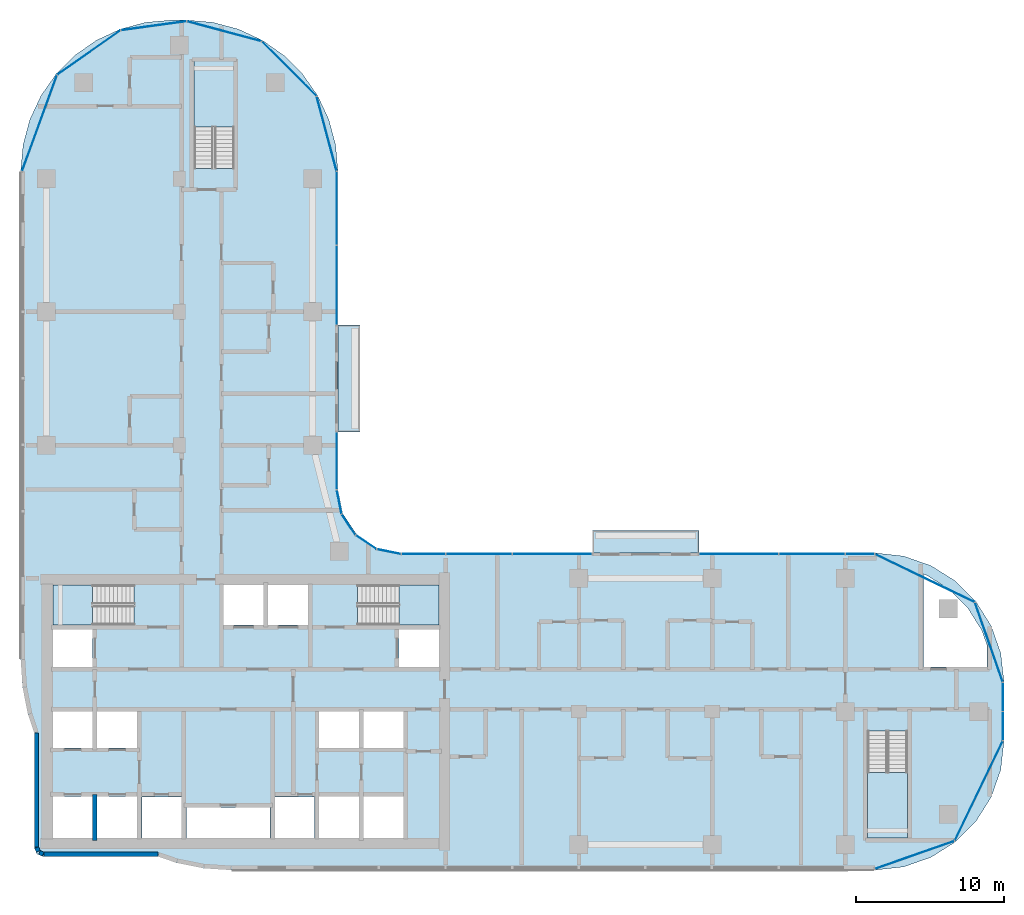
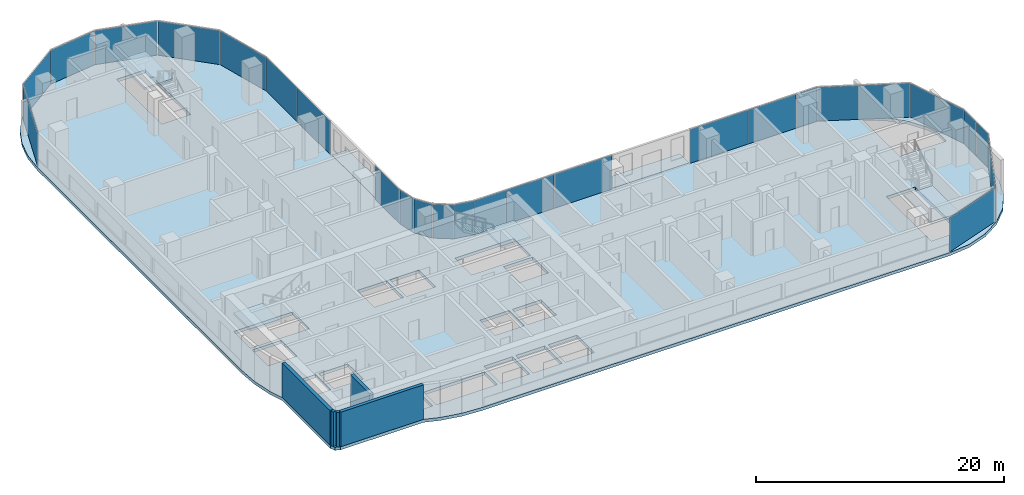
# One storey, part 8 of 23: 25 plates, 7 slabs, 5 walls, 13 elements without a shape of their own.
"""IFC4 building model written with IfcOpenShell, lengths in metres."""

from ifc_helpers import new_model, si_unit, direction, frame, frame_2d, origin, origin_2d, place, context, subcontext, project, spatial, polyline, rectangle, outline, extrude, material, layer, layer_set, type_object, element, aggregate, save


model = new_model("IFC4")

# Units and contexts
model_context = context("Model", 3, precision=1e-05, world=origin(), true_north=direction((0.0, 1.0)))
body_context = subcontext(model_context, "Body", "Model", "MODEL_VIEW")
ifc_project = project(units=[si_unit("LENGTHUNIT", "METRE"), si_unit("AREAUNIT", "SQUARE_METRE"), si_unit("VOLUMEUNIT", "CUBIC_METRE"), si_unit("PLANEANGLEUNIT", "RADIAN"), si_unit("MASSUNIT", "GRAM", prefix="KILO")], contexts=[model_context])

# Site, building, storey
site_placement = place(None, origin())
site = spatial("IfcSite", under=ifc_project, at=site_placement, CompositionType="ELEMENT")
building_placement = place(site_placement, origin())
building = spatial("IfcBuilding", under=site, at=building_placement, Name="Ogive Portal Towers", CompositionType="ELEMENT")
storey_placement = place(building_placement, frame((0.0, 0.0, 127.800048828125)))
storey = spatial("IfcBuildingStorey", under=building, at=storey_placement, Name="L31", CompositionType="ELEMENT", Elevation=127.800048828125)

# Slabs
ifc_material_1 = material(Name="Concrete C40/50", Category="concrete")
ifc_layer_1 = layer(ifc_material_1, 0.199951171875)
ifc_layer_set_1 = layer_set([ifc_layer_1], Name="BALCONY SLAB 200")
slab_type_1 = type_object("IfcSlabType", Name="BALCONY SLAB 200", PredefinedType="FLOOR", material=ifc_layer_set_1)
slab_1_placement = place(storey_placement, frame((0.0, 0.0, -0.199951171875)))
element("IfcSlab", 1, at=slab_1_placement, inside=storey, type_object=slab_type_1, Name="Balcony T2", PredefinedType="FLOOR", context=body_context, shape_type="SweptSolid", body=[
    extrude(outline(polyline([(68.39990234375, 41.215087890625), (75.60009765625, 41.215087890625), (75.60009765625, 42.715087890625), (68.39990234375, 42.715087890625), (68.39990234375, 41.215087890625)])), origin(), (0.0, 0.0, 1.0), 0.199951171875),
])
slab_2_placement = place(storey_placement, frame((0.0, 0.0, -0.199951171875)))
element("IfcSlab", 2, at=slab_2_placement, inside=storey, type_object=slab_type_1, Name="Balcony S1", PredefinedType="FLOOR", context=body_context, shape_type="SweptSolid", body=[
    extrude(outline(polyline([(51.215087890625, 49.39990234375), (52.715087890625, 49.39990234375), (52.715087890625, 56.60009765625), (51.215087890625, 56.60009765625), (51.215087890625, 49.39990234375)])), origin(), (0.0, 0.0, 1.0), 0.199951171875),
])

# Curtain wall, plates
ifc_material_2 = material(Name="Glass, clear low-iron insulated glazing", Category="glass")
curtain_wall_type = type_object("IfcCurtainWallType", Name="CW FRONT RIBBON 4500", PredefinedType="NOTDEFINED", material=ifc_material_2)
curtain_wall_1_placement = place(storey_placement, origin())
curtain_wall_1 = element("IfcCurtainWall", 3, at=curtain_wall_1_placement, inside=storey, type_object=curtain_wall_type, Name="A:L31:f10:cw0", PredefinedType="NOTDEFINED")
ifc_layer_2 = layer(ifc_material_2, 0.028076171875)
ifc_layer_set_2 = layer_set([ifc_layer_2], Name="CW PANEL IGU 28")
plate_type = type_object("IfcPlateType", Name="CW PANEL IGU 28", PredefinedType="CURTAIN_PANEL", material=ifc_layer_set_2)
plate_1_placement = place(storey_placement, frame((96.135009765625, 29.509033203125, 0.0), z_axis=(0.0, 0.0, 1.0), x_axis=(0.0, 1.0, 0.0)))
plate_1 = element("IfcPlate", 4, at=plate_1_placement, type_object=plate_type, Name="panel", PredefinedType="CURTAIN_PANEL", context=body_context, shape_type="SweptSolid", body=[
    extrude(rectangle(XDim=1.921630859375, YDim=0.028076171875, at=origin_2d()), origin(), (0.0, 0.0, 1.0), 3.340087890625),
])
plate_2_placement = place(storey_placement, frame((96.135009765625, 31.4931640625, 0.0), z_axis=(0.0, 0.0, 1.0), x_axis=(0.0, 1.0, 0.0)))
plate_2 = element("IfcPlate", 5, at=plate_2_placement, type_object=plate_type, Name="panel", PredefinedType="CURTAIN_PANEL", context=body_context, shape_type="SweptSolid", body=[
    extrude(rectangle(XDim=1.926513671875, YDim=0.028076171875, at=origin_2d()), origin(), (0.0, 0.0, 1.0), 3.340087890625),
])
aggregate(curtain_wall_1, [plate_1, plate_2])

curtain_wall_2_placement = place(storey_placement, origin())
curtain_wall_2 = element("IfcCurtainWall", 6, at=curtain_wall_2_placement, inside=storey, type_object=curtain_wall_type, Name="A:L31:f13:cw0", PredefinedType="NOTDEFINED")
plate_3_placement = place(storey_placement, frame((86.490966796875, 41.135009765625, 0.0), z_axis=(0.0, 0.0, 1.0), x_axis=(-1.0, 0.0, 0.0)))
plate_3 = element("IfcPlate", 7, at=plate_3_placement, type_object=plate_type, Name="panel", PredefinedType="CURTAIN_PANEL", context=body_context, shape_type="SweptSolid", body=[
    extrude(rectangle(XDim=1.921630859375, YDim=0.028076171875, at=origin_2d()), origin(), (0.0, 0.0, 1.0), 3.340087890625),
])
plate_4_placement = place(storey_placement, frame((83.25, 41.135009765625, 0.0), z_axis=(0.0, 0.0, 1.0), x_axis=(-1.0, 0.0, 0.0)))
plate_4 = element("IfcPlate", 8, at=plate_4_placement, type_object=plate_type, Name="panel", PredefinedType="CURTAIN_PANEL", context=body_context, shape_type="SweptSolid", body=[
    extrude(rectangle(XDim=4.43994140625, YDim=0.028076171875, at=origin_2d()), origin(), (0.0, 0.0, 1.0), 3.340087890625),
])
plate_5_placement = place(storey_placement, frame((78.292724609375, 41.135009765625, 0.0), z_axis=(0.0, 0.0, 1.0), x_axis=(-1.0, 0.0, 0.0)))
plate_5 = element("IfcPlate", 9, at=plate_5_placement, type_object=plate_type, Name="panel", PredefinedType="CURTAIN_PANEL", context=body_context, shape_type="SweptSolid", body=[
    extrude(rectangle(XDim=5.3544921875, YDim=0.028076171875, at=origin_2d()), origin(), (0.0, 0.0, 1.0), 3.340087890625),
])
aggregate(curtain_wall_2, [plate_3, plate_4, plate_5])

curtain_wall_3_placement = place(storey_placement, origin())
curtain_wall_3 = element("IfcCurtainWall", 10, at=curtain_wall_3_placement, inside=storey, type_object=curtain_wall_type, Name="A:L31:f13:cw1", PredefinedType="NOTDEFINED")
plate_6_placement = place(storey_placement, frame((65.69384765625, 41.135009765625, 0.0), z_axis=(0.0, 0.0, 1.0), x_axis=(-1.0, 0.0, 0.0)))
plate_6 = element("IfcPlate", 11, at=plate_6_placement, type_object=plate_type, Name="panel", PredefinedType="CURTAIN_PANEL", context=body_context, shape_type="SweptSolid", body=[
    extrude(rectangle(XDim=5.327880859375, YDim=0.028076171875, at=origin_2d()), origin(), (0.0, 0.0, 1.0), 3.340087890625),
])
plate_7_placement = place(storey_placement, frame((60.75, 41.135009765625, 0.0), z_axis=(0.0, 0.0, 1.0), x_axis=(-1.0, 0.0, 0.0)))
plate_7 = element("IfcPlate", 12, at=plate_7_placement, type_object=plate_type, Name="panel", PredefinedType="CURTAIN_PANEL", context=body_context, shape_type="SweptSolid", body=[
    extrude(rectangle(XDim=4.43994140625, YDim=0.028076171875, at=origin_2d()), origin(), (0.0, 0.0, 1.0), 3.340087890625),
])
plate_8_placement = place(storey_placement, frame((56.99609375, 41.135009765625, 0.0), z_axis=(0.0, 0.0, 1.0), x_axis=(-1.0, 0.0, 0.0)))
plate_8 = element("IfcPlate", 13, at=plate_8_placement, type_object=plate_type, Name="panel", PredefinedType="CURTAIN_PANEL", context=body_context, shape_type="SweptSolid", body=[
    extrude(rectangle(XDim=2.947998046875, YDim=0.028076171875, at=origin_2d()), origin(), (0.0, 0.0, 1.0), 3.340087890625),
])
aggregate(curtain_wall_3, [plate_6, plate_7, plate_8])

# Curtain wall, plate
curtain_wall_4_placement = place(storey_placement, origin())
curtain_wall_4 = element("IfcCurtainWall", 14, at=curtain_wall_4_placement, inside=storey, type_object=curtain_wall_type, Name="A:L31:f18:cw0", PredefinedType="NOTDEFINED")
plate_9_placement = place(storey_placement, frame((51.135009765625, 47.44189453125, 0.0), z_axis=(0.0, 0.0, 1.0), x_axis=(0.0, 1.0, 0.0)))
plate_9 = element("IfcPlate", 15, at=plate_9_placement, type_object=plate_type, Name="panel", PredefinedType="CURTAIN_PANEL", context=body_context, shape_type="SweptSolid", body=[
    extrude(rectangle(XDim=3.839599609375, YDim=0.028076171875, at=origin_2d()), origin(), (0.0, 0.0, 1.0), 3.340087890625),
])
aggregate(curtain_wall_4, [plate_9])

# Curtain wall, plates
curtain_wall_5_placement = place(storey_placement, origin())
curtain_wall_5 = element("IfcCurtainWall", 16, at=curtain_wall_5_placement, inside=storey, type_object=curtain_wall_type, Name="A:L31:f18:cw1", PredefinedType="NOTDEFINED")
plate_10_placement = place(storey_placement, frame((51.135009765625, 59.29541015625, 0.0), z_axis=(0.0, 0.0, 1.0), x_axis=(0.0, 1.0, 0.0)))
plate_10 = element("IfcPlate", 17, at=plate_10_placement, type_object=plate_type, Name="panel", PredefinedType="CURTAIN_PANEL", context=body_context, shape_type="SweptSolid", body=[
    extrude(rectangle(XDim=5.349365234375, YDim=0.028076171875, at=origin_2d()), origin(), (0.0, 0.0, 1.0), 3.340087890625),
])
plate_11_placement = place(storey_placement, frame((51.135009765625, 64.49462890625, 0.0), z_axis=(0.0, 0.0, 1.0), x_axis=(0.0, 1.0, 0.0)))
plate_11 = element("IfcPlate", 18, at=plate_11_placement, type_object=plate_type, Name="panel", PredefinedType="CURTAIN_PANEL", context=body_context, shape_type="SweptSolid", body=[
    extrude(rectangle(XDim=4.929443359375, YDim=0.028076171875, at=origin_2d()), origin(), (0.0, 0.0, 1.0), 3.340087890625),
])
aggregate(curtain_wall_5, [plate_10, plate_11])

curtain_wall_6_placement = place(storey_placement, origin())
curtain_wall_6 = element("IfcCurtainWall", 19, at=curtain_wall_6_placement, inside=storey, type_object=curtain_wall_type, Name="A:L31:f08:cwa", PredefinedType="NOTDEFINED")
plate_12_placement = place(storey_placement, frame((90.18115234375, 20.807861328125, 0.0), z_axis=(0.0, 0.0, 1.0), x_axis=(0.943883330307, 0.33027906196, 0.0)))
plate_12 = element("IfcPlate", 20, at=plate_12_placement, type_object=plate_type, Name="panel", PredefinedType="CURTAIN_PANEL", context=body_context, shape_type="SweptSolid", body=[
    extrude(rectangle(XDim=5.650146484375, YDim=0.028076171875, at=origin_2d()), origin(), (0.0, 0.0, 1.0), 3.340087890625),
])
plate_13_placement = place(storey_placement, frame((94.505615234375, 25.134521484375, 0.0), z_axis=(0.0, 0.0, 1.0), x_axis=(0.433883739113, 0.900968867905, 0.0)))
plate_13 = element("IfcPlate", 21, at=plate_13_placement, type_object=plate_type, Name="panel", PredefinedType="CURTAIN_PANEL", context=body_context, shape_type="SweptSolid", body=[
    extrude(rectangle(XDim=7.451171875, YDim=0.028076171875, at=origin_2d()), origin(), (0.0, 0.0, 1.0), 3.340087890625),
])
aggregate(curtain_wall_6, [plate_12, plate_13])

curtain_wall_7_placement = place(storey_placement, origin())
curtain_wall_7 = element("IfcCurtainWall", 22, at=curtain_wall_7_placement, inside=storey, type_object=curtain_wall_type, Name="A:L31:f11:cwa", PredefinedType="NOTDEFINED")
plate_14_placement = place(storey_placement, frame((95.192138671875, 35.18115234375, 0.0), z_axis=(0.0, 0.0, 1.0), x_axis=(-0.33027906196, 0.943883330307, 0.0)))
plate_14 = element("IfcPlate", 23, at=plate_14_placement, type_object=plate_type, Name="panel", PredefinedType="CURTAIN_PANEL", context=body_context, shape_type="SweptSolid", body=[
    extrude(rectangle(XDim=5.650146484375, YDim=0.028076171875, at=origin_2d()), origin(), (0.0, 0.0, 1.0), 3.340087890625),
])
plate_15_placement = place(storey_placement, frame((90.865478515625, 39.505615234375, 0.0), z_axis=(0.0, 0.0, 1.0), x_axis=(-0.900968867905, 0.433883739113, 0.0)))
plate_15 = element("IfcPlate", 24, at=plate_15_placement, type_object=plate_type, Name="panel", PredefinedType="CURTAIN_PANEL", context=body_context, shape_type="SweptSolid", body=[
    extrude(rectangle(XDim=7.451171875, YDim=0.028076171875, at=origin_2d()), origin(), (0.0, 0.0, 1.0), 3.340087890625),
])
aggregate(curtain_wall_7, [plate_14, plate_15])

curtain_wall_8_placement = place(storey_placement, origin())
curtain_wall_8 = element("IfcCurtainWall", 25, at=curtain_wall_8_placement, inside=storey, type_object=curtain_wall_type, Name="A:L31:f14:cwa", PredefinedType="NOTDEFINED")
plate_16_placement = place(storey_placement, frame((54.66064453125, 41.30029296875, 0.0), z_axis=(0.0, 0.0, 1.0), x_axis=(-0.980785280403, 0.195090322016, 0.0)))
plate_16 = element("IfcPlate", 26, at=plate_16_placement, type_object=plate_type, Name="panel", PredefinedType="CURTAIN_PANEL", context=body_context, shape_type="SweptSolid", body=[
    extrude(rectangle(XDim=1.6357421875, YDim=0.028076171875, at=origin_2d()), origin(), (0.0, 0.0, 1.0), 3.340087890625),
])
plate_17_placement = place(storey_placement, frame((53.12060546875, 41.939208984375, 0.0), z_axis=(0.0, 0.0, 1.0), x_axis=(-0.831469612303, 0.55557023302, 0.0)))
plate_17 = element("IfcPlate", 27, at=plate_17_placement, type_object=plate_type, Name="panel", PredefinedType="CURTAIN_PANEL", context=body_context, shape_type="SweptSolid", body=[
    extrude(rectangle(XDim=1.643798828125, YDim=0.028076171875, at=origin_2d()), origin(), (0.0, 0.0, 1.0), 3.340087890625),
])
plate_18_placement = place(storey_placement, frame((51.939208984375, 43.12060546875, 0.0), z_axis=(0.0, 0.0, 1.0), x_axis=(-0.55557023302, 0.831469612303, 0.0)))
plate_18 = element("IfcPlate", 28, at=plate_18_placement, type_object=plate_type, Name="panel", PredefinedType="CURTAIN_PANEL", context=body_context, shape_type="SweptSolid", body=[
    extrude(rectangle(XDim=1.643798828125, YDim=0.028076171875, at=origin_2d()), origin(), (0.0, 0.0, 1.0), 3.340087890625),
])
plate_19_placement = place(storey_placement, frame((51.30029296875, 44.66064453125, 0.0), z_axis=(0.0, 0.0, 1.0), x_axis=(-0.195090322016, 0.980785280403, 0.0)))
plate_19 = element("IfcPlate", 29, at=plate_19_placement, type_object=plate_type, Name="panel", PredefinedType="CURTAIN_PANEL", context=body_context, shape_type="SweptSolid", body=[
    extrude(rectangle(XDim=1.6357421875, YDim=0.028076171875, at=origin_2d()), origin(), (0.0, 0.0, 1.0), 3.340087890625),
])
aggregate(curtain_wall_8, [plate_16, plate_17, plate_18, plate_19])

curtain_wall_9_placement = place(storey_placement, origin())
curtain_wall_9 = element("IfcCurtainWall", 30, at=curtain_wall_9_placement, inside=storey, type_object=curtain_wall_type, Name="A:L31:f19:cwa", PredefinedType="NOTDEFINED")
plate_20_placement = place(storey_placement, frame((50.454833984375, 69.52783203125, 0.0), z_axis=(0.0, 0.0, 1.0), x_axis=(-0.258819045103, 0.965925826289, 0.0)))
plate_20 = element("IfcPlate", 31, at=plate_20_placement, type_object=plate_type, Name="panel", PredefinedType="CURTAIN_PANEL", context=body_context, shape_type="SweptSolid", body=[
    extrude(rectangle(XDim=5.19580078125, YDim=0.028076171875, at=origin_2d()), origin(), (0.0, 0.0, 1.0), 3.340087890625),
])
plate_21_placement = place(storey_placement, frame((47.92041015625, 73.92041015625, 0.0), z_axis=(0.0, 0.0, 1.0), x_axis=(-0.707106781187, 0.707106781187, 0.0)))
plate_21 = element("IfcPlate", 32, at=plate_21_placement, type_object=plate_type, Name="panel", PredefinedType="CURTAIN_PANEL", context=body_context, shape_type="SweptSolid", body=[
    extrude(rectangle(XDim=5.184814453125, YDim=0.028076171875, at=origin_2d()), origin(), (0.0, 0.0, 1.0), 3.340087890625),
])
plate_22_placement = place(storey_placement, frame((43.530517578125, 76.4541015625, 0.0), z_axis=(0.0, 0.0, 1.0), x_axis=(-0.965925826289, 0.258819045103, 0.0)))
plate_22 = element("IfcPlate", 33, at=plate_22_placement, type_object=plate_type, Name="panel", PredefinedType="CURTAIN_PANEL", context=body_context, shape_type="SweptSolid", body=[
    extrude(rectangle(XDim=5.190185546875, YDim=0.028076171875, at=origin_2d()), origin(), (0.0, 0.0, 1.0), 3.340087890625),
])
plate_23_placement = place(storey_placement, frame((38.765625, 76.827880859375, 0.0), z_axis=(0.0, 0.0, 1.0), x_axis=(-0.990733764465, -0.135818290186, 0.0)))
plate_23 = element("IfcPlate", 34, at=plate_23_placement, type_object=plate_type, Name="panel", PredefinedType="CURTAIN_PANEL", context=body_context, shape_type="SweptSolid", body=[
    extrude(rectangle(XDim=4.440185546875, YDim=0.028076171875, at=origin_2d()), origin(), (0.0, 0.0, 1.0), 3.340087890625),
])
plate_24_placement = place(storey_placement, frame((34.388916015625, 75.0185546875, 0.0), z_axis=(0.0, 0.0, 1.0), x_axis=(-0.819152044289, -0.573576436351, 0.0)))
plate_24 = element("IfcPlate", 35, at=plate_24_placement, type_object=plate_type, Name="panel", PredefinedType="CURTAIN_PANEL", context=body_context, shape_type="SweptSolid", body=[
    extrude(rectangle(XDim=5.18310546875, YDim=0.028076171875, at=origin_2d()), origin(), (0.0, 0.0, 1.0), 3.340087890625),
])
plate_25_placement = place(storey_placement, frame((31.05322265625, 70.25048828125, 0.0), z_axis=(0.0, 0.0, 1.0), x_axis=(-0.342020143326, -0.939692620786, 0.0)))
plate_25 = element("IfcPlate", 36, at=plate_25_placement, type_object=plate_type, Name="panel", PredefinedType="CURTAIN_PANEL", context=body_context, shape_type="SweptSolid", body=[
    extrude(rectangle(XDim=6.88818359375, YDim=0.028076171875, at=origin_2d()), origin(), (0.0, 0.0, 1.0), 3.340087890625),
])
aggregate(curtain_wall_9, [plate_20, plate_21, plate_22, plate_23, plate_24, plate_25])

# Stair, slab
stair_type = type_object("IfcStairType", Name="INT-STAIR", PredefinedType="HALF_TURN_STAIR", material=ifc_material_1)
stair_1_placement = place(storey_placement, origin())
stair_1 = element("IfcStair", 37, at=stair_1_placement, inside=storey, type_object=stair_type, Name="L31 Exit Stair ST-A1", PredefinedType="HALF_TURN_STAIR")
ifc_layer_3 = layer(ifc_material_1, 0.199951171875)
ifc_layer_set_3 = layer_set([ifc_layer_3], Name="INT-LANDING")
slab_type_2 = type_object("IfcSlabType", Name="INT-LANDING", PredefinedType="LANDING", material=ifc_layer_set_3)
slab_3_placement = place(storey_placement, frame((0.0, 0.0, 1.64990234375)))
slab_3 = element("IfcSlab", 38, at=slab_3_placement, type_object=slab_type_2, Name="ST-A1 landing 1", PredefinedType="LANDING", context=body_context, shape_type="SweptSolid", body=[
    extrude(outline(polyline([(34.64990234375, 39.050048828125), (31.949951171875, 39.050048828125), (31.949951171875, 36.35009765625), (34.64990234375, 36.35009765625), (34.64990234375, 39.050048828125)])), origin(), (0.0, 0.0, 1.0), 0.199951171875),
])
aggregate(stair_1, [slab_3])

stair_2_placement = place(storey_placement, origin())
stair_2 = element("IfcStair", 39, at=stair_2_placement, inside=storey, type_object=stair_type, Name="L31 Exit Stair ST-A2", PredefinedType="HALF_TURN_STAIR")
slab_4_placement = place(storey_placement, frame((0.0, 0.0, 1.64990234375)))
slab_4 = element("IfcSlab", 40, at=slab_4_placement, type_object=slab_type_2, Name="ST-A2 landing 1", PredefinedType="LANDING", context=body_context, shape_type="SweptSolid", body=[
    extrude(outline(polyline([(55.35009765625, 36.35009765625), (58.050048828125, 36.35009765625), (58.050048828125, 39.050048828125), (55.35009765625, 39.050048828125), (55.35009765625, 36.35009765625)])), origin(), (0.0, 0.0, 1.0), 0.199951171875),
])
aggregate(stair_2, [slab_4])

stair_3_placement = place(storey_placement, origin())
stair_3 = element("IfcStair", 41, at=stair_3_placement, inside=storey, type_object=stair_type, Name="L31 Exit Stair ST-A3", PredefinedType="HALF_TURN_STAIR")
slab_5_placement = place(storey_placement, frame((0.0, 0.0, 1.64990234375)))
slab_5 = element("IfcSlab", 42, at=slab_5_placement, type_object=slab_type_2, Name="ST-A3 landing 1", PredefinedType="LANDING", context=body_context, shape_type="SweptSolid", body=[
    extrude(outline(polyline([(44.199951171875, 70.0), (44.199951171875, 74.449951171875), (41.5, 74.449951171875), (41.5, 70.0), (44.199951171875, 70.0)])), origin(), (0.0, 0.0, 1.0), 0.199951171875),
])
aggregate(stair_3, [slab_5])

stair_4_placement = place(storey_placement, origin())
stair_4 = element("IfcStair", 43, at=stair_4_placement, inside=storey, type_object=stair_type, Name="L31 Exit Stair ST-A4", PredefinedType="HALF_TURN_STAIR")
slab_6_placement = place(storey_placement, frame((0.0, 0.0, 1.64990234375)))
slab_6 = element("IfcSlab", 44, at=slab_6_placement, type_object=slab_type_2, Name="ST-A4 landing 1", PredefinedType="LANDING", context=body_context, shape_type="SweptSolid", body=[
    extrude(outline(polyline([(87.0, 26.3701171875), (87.0, 21.949951171875), (89.699951171875, 21.949951171875), (89.699951171875, 26.3701171875), (87.0, 26.3701171875)])), origin(), (0.0, 0.0, 1.0), 0.199951171875),
])
aggregate(stair_4, [slab_6])

# Slab
ifc_material_3 = material(Name="Concrete C45/55", Category="concrete")
ifc_layer_4 = layer(ifc_material_3, 0.300048828125)
ifc_layer_set_4 = layer_set([ifc_layer_4], Name="PT FLAT PLATE 300")
slab_type_3 = type_object("IfcSlabType", Name="PT FLAT PLATE 300", PredefinedType="FLOOR", material=ifc_layer_set_4)
slab_7_placement = place(storey_placement, frame((0.0, 0.0, -0.300048828125)))
element("IfcSlab", 45, at=slab_7_placement, inside=storey, type_object=slab_type_3, Name="Floor slab L31", PredefinedType="FLOOR", context=body_context, shape_type="SweptSolid", body=[
    extrude(outline(polyline([(29.906494140625, 32.14453125), (30.269287109375, 30.32080078125), (30.699951171875, 29.05224609375), (30.699951171875, 21.300048828125), (30.875732421875, 20.875732421875), (31.300048828125, 20.699951171875), (39.05224609375, 20.699951171875), (40.32080078125, 20.269287109375), (42.14453125, 19.906494140625), (44.0, 19.784912109375), (87.5, 19.784912109375), (89.439208984375, 20.00341796875), (91.28125, 20.648193359375), (92.93359375, 21.686279296875), (94.313720703125, 23.06640625), (95.351806640625, 24.71875), (95.99658203125, 26.560791015625), (96.215087890625, 28.5), (96.215087890625, 32.5), (95.99658203125, 34.439208984375), (95.351806640625, 36.28125), (94.313720703125, 37.93359375), (92.93359375, 39.313720703125), (91.28125, 40.351806640625), (89.439208984375, 40.99658203125), (87.5, 41.215087890625), (55.5, 41.215087890625), (53.860107421875, 41.541259765625), (52.469970703125, 42.469970703125), (51.541259765625, 43.860107421875), (51.215087890625, 45.5), (51.215087890625, 67.0), (51.059814453125, 68.773681640625), (50.59912109375, 70.49365234375), (49.846435546875, 72.107421875), (48.8251953125, 73.566162109375), (47.566162109375, 74.8251953125), (46.107421875, 75.846435546875), (44.49365234375, 76.59912109375), (42.773681640625, 77.059814453125), (41.0, 77.215087890625), (40.0, 77.215087890625), (38.226318359375, 77.059814453125), (36.50634765625, 76.59912109375), (34.892578125, 75.846435546875), (33.433837890625, 74.8251953125), (32.1748046875, 73.566162109375), (31.153564453125, 72.107421875), (30.40087890625, 70.49365234375), (29.940185546875, 68.773681640625), (29.784912109375, 67.0), (29.784912109375, 34.0), (29.906494140625, 32.14453125)]), holes=[polyline([(46.6298828125, 21.969970703125), (40.969970703125, 21.969970703125), (40.969970703125, 24.0029296875), (46.6298828125, 24.0029296875), (46.6298828125, 21.969970703125)]), polyline([(34.64990234375, 24.75), (34.64990234375, 21.949951171875), (31.949951171875, 21.949951171875), (31.949951171875, 24.75), (34.64990234375, 24.75)]), polyline([(37.64990234375, 24.75), (37.64990234375, 21.949951171875), (34.949951171875, 21.949951171875), (34.949951171875, 24.75), (37.64990234375, 24.75)]), polyline([(37.969970703125, 21.969970703125), (37.969970703125, 24.72998046875), (40.6298828125, 24.72998046875), (40.6298828125, 21.969970703125), (37.969970703125, 21.969970703125)]), polyline([(34.64990234375, 28.050048828125), (31.949951171875, 28.050048828125), (31.949951171875, 30.5), (34.64990234375, 30.5), (34.64990234375, 28.050048828125)]), polyline([(37.64990234375, 30.5), (37.64990234375, 28.050048828125), (34.949951171875, 28.050048828125), (34.949951171875, 30.5), (37.64990234375, 30.5)]), polyline([(34.64990234375, 36.050048828125), (34.64990234375, 33.5), (31.949951171875, 33.5), (31.949951171875, 36.050048828125), (34.64990234375, 36.050048828125)]), polyline([(31.951904296875, 39.048095703125), (37.447998046875, 39.048095703125), (37.447998046875, 36.35205078125), (31.951904296875, 36.35205078125), (31.951904296875, 39.048095703125)]), polyline([(46.199951171875, 36.35009765625), (43.5, 36.35009765625), (43.5, 39.050048828125), (46.199951171875, 39.050048828125), (46.199951171875, 36.35009765625)]), polyline([(44.197998046875, 67.201904296875), (41.501953125, 67.201904296875), (41.501953125, 74.447998046875), (44.197998046875, 74.447998046875), (44.197998046875, 67.201904296875)]), polyline([(49.6298828125, 21.969970703125), (46.969970703125, 21.969970703125), (46.969970703125, 24.72998046875), (49.6298828125, 24.72998046875), (49.6298828125, 21.969970703125)]), polyline([(52.64990234375, 24.75), (52.64990234375, 21.949951171875), (49.949951171875, 21.949951171875), (49.949951171875, 24.75), (52.64990234375, 24.75)]), polyline([(55.64990234375, 24.75), (55.64990234375, 21.949951171875), (52.949951171875, 21.949951171875), (52.949951171875, 24.75), (55.64990234375, 24.75)]), polyline([(87.001953125, 29.16796875), (89.697998046875, 29.16796875), (89.697998046875, 21.951904296875), (87.001953125, 21.951904296875), (87.001953125, 29.16796875)]), polyline([(52.64990234375, 28.050048828125), (49.949951171875, 28.050048828125), (49.949951171875, 30.5), (52.64990234375, 30.5), (52.64990234375, 28.050048828125)]), polyline([(55.64990234375, 30.5), (55.64990234375, 28.050048828125), (52.949951171875, 28.050048828125), (52.949951171875, 30.5), (55.64990234375, 30.5)]), polyline([(58.050048828125, 36.050048828125), (58.050048828125, 33.5), (55.35009765625, 33.5), (55.35009765625, 36.050048828125), (58.050048828125, 36.050048828125)]), polyline([(93.762939453125, 37.494384765625), (94.71728515625, 35.9755859375), (95.080078125, 34.93896484375), (95.080078125, 33.52001953125), (90.77001953125, 33.52001953125), (90.77001953125, 39.789306640625), (90.9755859375, 39.71728515625), (92.494384765625, 38.762939453125), (93.762939453125, 37.494384765625)]), polyline([(49.199951171875, 36.35009765625), (46.5, 36.35009765625), (46.5, 39.050048828125), (49.199951171875, 39.050048828125), (49.199951171875, 36.35009765625)]), polyline([(52.552001953125, 36.35205078125), (52.552001953125, 39.048095703125), (58.048095703125, 39.048095703125), (58.048095703125, 36.35205078125), (52.552001953125, 36.35205078125)])]), origin(), (0.0, 0.0, 1.0), 0.300048828125),
])

# Walls
ifc_material_4 = material(Name="Limestone cladding on lightweight block wall", Category="masonry")
ifc_layer_5 = layer(ifc_material_4, 0.300048828125)
ifc_layer_set_5 = layer_set([ifc_layer_5], Name="EXTERNAL WALL 300 STONE")
wall_type_1 = type_object("IfcWallType", Name="EXTERNAL WALL 300 STONE", PredefinedType="SOLIDWALL", material=ifc_layer_set_5)
wall_1_placement = place(storey_placement, frame((30.85009765625, 29.05224609375, 0.0), z_axis=(0.0, 0.0, 1.0), x_axis=(0.0, -1.0, 0.0)))
element("IfcWall", 46, at=wall_1_placement, inside=storey, type_object=wall_type_1, Name="A:L31:f00:r0:wall", PredefinedType="SOLIDWALL", context=body_context, shape_type="SweptSolid", body=[
    extrude(rectangle(XDim=7.692626953125, YDim=0.300048828125, at=frame_2d((3.84619140625, 0.0))), origin(), (0.0, 0.0, 1.0), 3.39990234375),
])
for number, where, z_axis, x_axis, name in (
    (47, (30.861328125, 21.30224609375, 0.0), (0.0, 0.0, 1.0), (0.38297812142, -0.923757413239, 0.0), "A:L31:f01:r0:wall"),
    (48, (31.0478515625, 20.966796875, 0.0), (0.0, 0.0, 1.0), (0.923757413239, -0.38297812142, 0.0), "A:L31:f02:r0:wall"),
):
    element("IfcWall", number, at=place(storey_placement, frame(where, z_axis=z_axis, x_axis=x_axis)), inside=storey, type_object=wall_type_1, Name=name, PredefinedType="SOLIDWALL", context=body_context, shape_type="SweptSolid", body=[
        extrude(rectangle(XDim=0.275390625, YDim=0.300048828125, at=frame_2d((0.1376953125, 0.0))), origin(), (0.0, 0.0, 1.0), 3.39990234375),
    ])
wall_2_placement = place(storey_placement, frame((31.359619140625, 20.85009765625, 0.0), z_axis=(0.0, 0.0, 1.0), x_axis=(1.0, 0.0, 0.0)))
element("IfcWall", 49, at=wall_2_placement, inside=storey, type_object=wall_type_1, Name="A:L31:f03:r0:wall", PredefinedType="SOLIDWALL", context=body_context, shape_type="SweptSolid", body=[
    extrude(rectangle(XDim=7.692626953125, YDim=0.300048828125, at=frame_2d((3.84619140625, 0.0))), origin(), (0.0, 0.0, 1.0), 3.39990234375),
])
ifc_layer_6 = layer(ifc_material_1, 0.300048828125)
ifc_layer_set_6 = layer_set([ifc_layer_6], Name="WT-SHAFT-300")
wall_type_2 = type_object("IfcWallType", Name="WT-SHAFT-300", PredefinedType="SOLIDWALL", material=ifc_layer_set_6)
wall_3_placement = place(storey_placement, frame((34.800048828125, 21.800048828125, 0.0), z_axis=(0.0, 0.0, 1.0), x_axis=(0.0, 1.0, 0.0)))
element("IfcWall", 50, at=wall_3_placement, inside=storey, type_object=wall_type_2, Name="Wall pw:008:L31", PredefinedType="SOLIDWALL", context=body_context, shape_type="SweptSolid", body=[
    extrude(rectangle(XDim=3.099853515625, YDim=0.300048828125, at=frame_2d((1.5498046875, 0.0))), origin(), (0.0, 0.0, 1.0), 3.39990234375),
])

save(model, "model.ifc")
